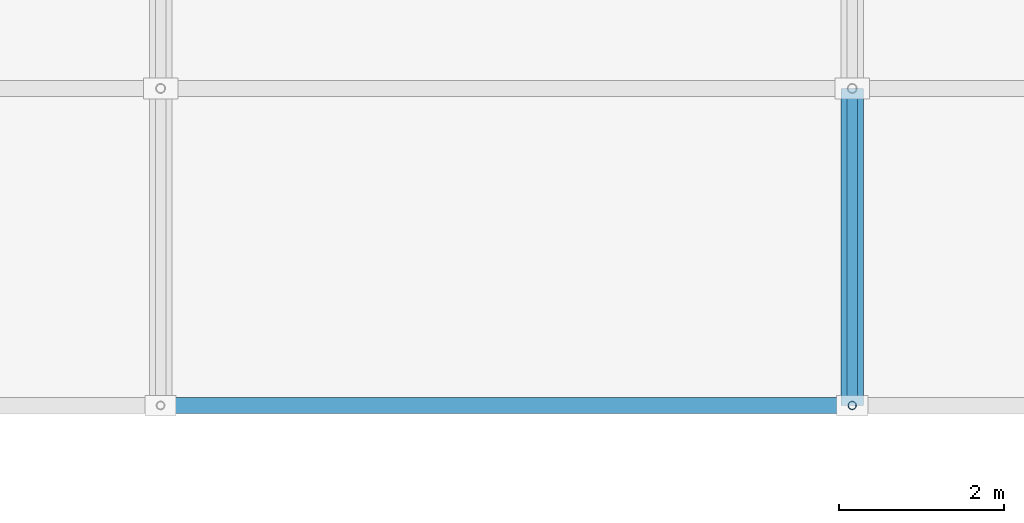
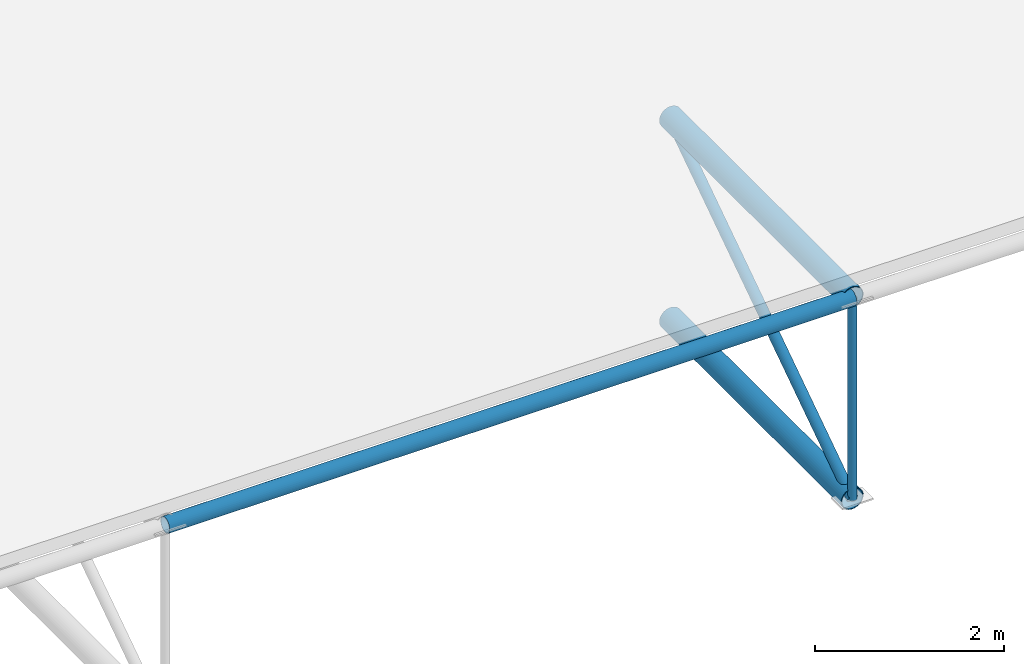
# One storey, part 31 of 140: 3 members, 2 beams.
"""IFC4 building model written with IfcOpenShell, lengths in metres."""

from ifc_helpers import new_model, si_unit, direction, frame, origin, origin_2d, place, context, subcontext, project, spatial, hollow_circle, extrude, material, material_profile, profile_set, type_object, element, save


model = new_model("IFC4")

# Units and contexts
model_context = context("Model", 3, precision=1e-05, world=origin(), true_north=direction((0.0, 1.0)))
body_context = subcontext(model_context, "Body", "Model", "MODEL_VIEW")
ifc_project = project(units=[si_unit("LENGTHUNIT", "METRE"), si_unit("AREAUNIT", "SQUARE_METRE"), si_unit("VOLUMEUNIT", "CUBIC_METRE"), si_unit("PLANEANGLEUNIT", "RADIAN"), si_unit("MASSUNIT", "GRAM", prefix="KILO")], contexts=[model_context])

# Site, building, storey
site_placement = place(None, origin())
site = spatial("IfcSite", under=ifc_project, at=site_placement, CompositionType="ELEMENT")
building_placement = place(site_placement, origin())
building = spatial("IfcBuilding", under=site, at=building_placement, Name="Varnapada Polytechnic", CompositionType="ELEMENT")
storey_placement = place(building_placement, frame((0.0, 0.0, 13.800048828125)))
storey = spatial("IfcBuildingStorey", under=building, at=storey_placement, Name="L03", CompositionType="ELEMENT", Elevation=13.800048828125)

# Members
ifc_material = material(Name="Steel S355", Category="steel")
ifc_material_profile_1 = material_profile(ifc_material, hollow_circle(Radius=0.096923828125, WallThickness=0.00634765625, at=origin_2d()), Name="CHS 193.7x6.3")
ifc_profile_set_1 = profile_set([ifc_material_profile_1], Name="Steel S355")
member_type_1 = type_object("IfcMemberType", Name="Canopy space frame longitudinal chord SFC-03 (CHS 193.7x6.3)", PredefinedType="CHORD", material=ifc_profile_set_1)
member_1_placement = place(storey_placement, frame((92.39990234375, 5.199951171875, -1.35009765625), z_axis=(1.0, 0.0, 0.0), x_axis=(0.0, 1.0, 0.0)))
element("IfcMember", 1, at=member_1_placement, inside=storey, type_object=member_type_1, Name="Entrance canopy longitudinal chord 3.6", PredefinedType="CHORD", context=body_context, shape_type="SweptSolid", body=[
    extrude(hollow_circle(Radius=0.096923828125, WallThickness=0.00634765625, at=origin_2d()), origin(), (0.0, 0.0, 1.0), 8.400146484375),
])
ifc_material_profile_2 = material_profile(ifc_material, hollow_circle(Radius=0.05078125, WallThickness=0.0048828125, at=origin_2d()), Name="CHS 101.6x5.0")
ifc_profile_set_2 = profile_set([ifc_material_profile_2], Name="Steel S355")
member_type_2 = type_object("IfcMemberType", Name="Canopy tip strut SFS-03 (CHS 101.6x5.0)", PredefinedType="STRUT", material=ifc_profile_set_2)
member_2_placement = place(storey_placement, frame((100.800048828125, 5.199951171875, -3.949951171875), z_axis=(0.0, 0.0, 1.0), x_axis=(1.0, 0.0, 0.0)))
element("IfcMember", 2, at=member_2_placement, inside=storey, type_object=member_type_2, Name="Entrance canopy space frame post 4.6", PredefinedType="STRUT", context=body_context, shape_type="SweptSolid", body=[
    extrude(hollow_circle(Radius=0.05078125, WallThickness=0.0048828125, at=origin_2d()), origin(), (0.0, 0.0, 1.0), 2.599853515625),
])
ifc_material_profile_3 = material_profile(ifc_material, hollow_circle(Radius=0.0634765625, WallThickness=0.0048828125, at=origin_2d()), Name="CHS 127.0x5.0")
ifc_profile_set_3 = profile_set([ifc_material_profile_3], Name="Steel S355")
member_type_3 = type_object("IfcMemberType", Name="Canopy web diagonal SFB-04 (CHS 127.0x5.0)", PredefinedType="BRACE", material=ifc_profile_set_3)
member_3_placement = place(storey_placement, frame((100.800048828125, 9.050048828125, -1.35009765625), z_axis=(0.0, -0.828745090232, -0.55962628192), x_axis=(1.0, 0.0, 0.0)))
element("IfcMember", 3, at=member_3_placement, inside=storey, type_object=member_type_3, Name="Entrance canopy space frame web brace 4.5", PredefinedType="BRACE", context=body_context, shape_type="SweptSolid", body=[
    extrude(hollow_circle(Radius=0.0634765625, WallThickness=0.0048828125, at=origin_2d()), origin(), (0.0, 0.0, 1.0), 4.645751953125),
])

# Beams
ifc_material_profile_4 = material_profile(ifc_material, hollow_circle(Radius=0.136474609375, WallThickness=0.010009765625, at=origin_2d()), Name="CHS 273.0x10.0")
ifc_profile_set_4 = profile_set([ifc_material_profile_4], Name="Steel S355")
beam_type = type_object("IfcBeamType", Name="Vaulted space frame canopy chord beam VA-03 (CHS 273.0x10.0)", PredefinedType="BEAM", material=ifc_profile_set_4)
for number, where, z_axis, x_axis, name in (
    (4, (100.800048828125, 9.050048828125, -3.949951171875), (0.0, -1.0, 0.0), (1.0, 0.0, 0.0), "Entrance canopy space frame bottom chord 4.5"),
    (5, (100.800048828125, 9.050048828125, -1.35009765625), (0.0, -1.0, 0.0), (1.0, 0.0, 0.0), "Entrance canopy space frame top chord 4.5"),
):
    element("IfcBeam", number, at=place(storey_placement, frame(where, z_axis=z_axis, x_axis=x_axis)), inside=storey, type_object=beam_type, Name=name, PredefinedType="BEAM", context=body_context, shape_type="SweptSolid", body=[
        extrude(hollow_circle(Radius=0.136474609375, WallThickness=0.010009765625, at=origin_2d()), origin(), (0.0, 0.0, 1.0), 3.85009765625),
    ])

save(model, "model.ifc")
